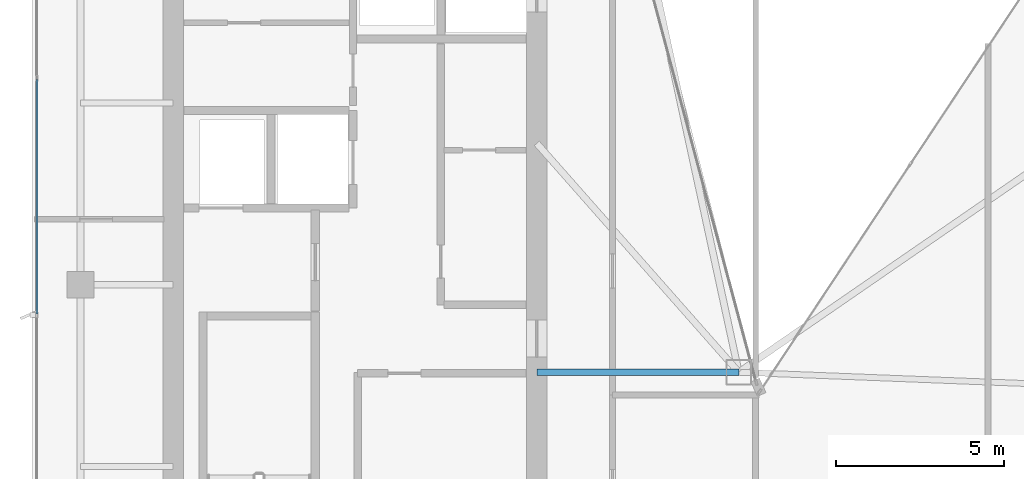
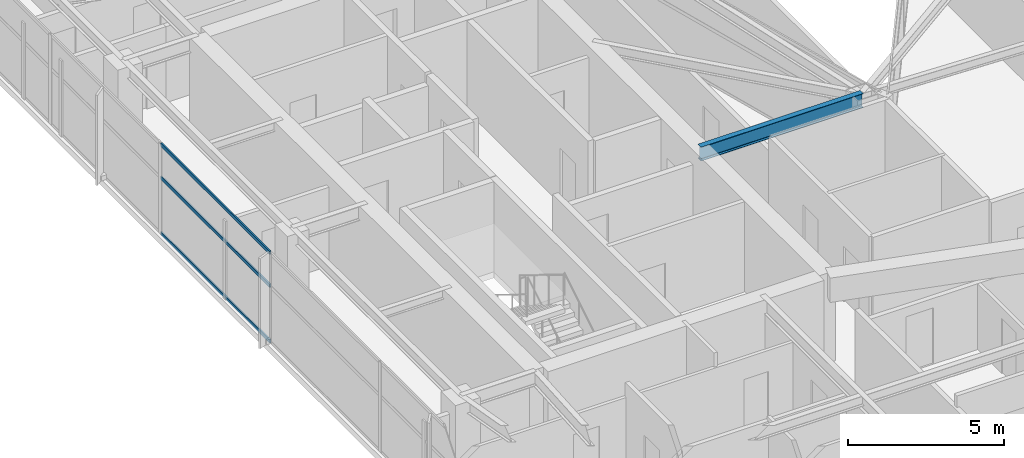
# One storey, part 9 of 27: 3 members, 1 beam, 1 element without a shape of its own.
"""IFC4 building model written with IfcOpenShell, lengths in metres."""

from ifc_helpers import new_model, si_unit, direction, frame, origin, origin_2d, place, context, subcontext, project, spatial, hollow_rectangle, i_section, extrude, material, layer, layer_set, material_profile, profile_set, type_object, element, aggregate, save


model = new_model("IFC4")

# Units and contexts
model_context = context("Model", 3, precision=1e-05, world=origin(), true_north=direction((0.0, 1.0)))
body_context = subcontext(model_context, "Body", "Model", "MODEL_VIEW")
ifc_project = project(units=[si_unit("LENGTHUNIT", "METRE"), si_unit("AREAUNIT", "SQUARE_METRE"), si_unit("VOLUMEUNIT", "CUBIC_METRE"), si_unit("PLANEANGLEUNIT", "RADIAN"), si_unit("MASSUNIT", "GRAM", prefix="KILO")], contexts=[model_context])

# Site, building, storey
site_placement = place(None, origin())
site = spatial("IfcSite", under=ifc_project, at=site_placement, CompositionType="ELEMENT")
building_placement = place(site_placement, origin())
building = spatial("IfcBuilding", under=site, at=building_placement, Name="Calvorn Quay Hotel", CompositionType="ELEMENT")
storey_placement = place(building_placement, frame((0.0, 0.0, 278.699951171875)))
storey = spatial("IfcBuildingStorey", under=building, at=storey_placement, Name="L69", CompositionType="ELEMENT", Elevation=278.699951171875)

# Beam
ifc_material_1 = material(Name="Steel Q355B", Category="steel")
ifc_material_profile_1 = material_profile(ifc_material_1, i_section(OverallWidth=0.199951171875, OverallDepth=0.550048828125, WebThickness=0.010009765625, FlangeThickness=0.01611328125, FilletRadius=0.01806640625, at=origin_2d()), Name="HN550x200x10x16")
ifc_profile_set_1 = profile_set([ifc_material_profile_1], Name="Steel Q355B")
beam_type = type_object("IfcBeamType", Name="BM-GIRD-UPP", PredefinedType="BEAM", material=ifc_profile_set_1)
beam_placement = place(storey_placement, frame((21.0, 25.0, 3.2451171875), z_axis=(-1.0, 0.0, 0.0), x_axis=(0.0, -1.0, 0.0)))
element("IfcBeam", 1, at=beam_placement, inside=storey, type_object=beam_type, Name="Beam BG-L69-W7", PredefinedType="BEAM", context=body_context, shape_type="SweptSolid", body=[
    extrude(i_section(OverallWidth=0.199951171875, OverallDepth=0.550048828125, WebThickness=0.010009765625, FlangeThickness=0.01611328125, FilletRadius=0.01806640625, at=origin_2d()), origin(), (0.0, 0.0, 1.0), 6.0),
])

# Curtain wall, members
ifc_material_2 = material(Name="Champagne Bronze Anodised Aluminium and Low-E Glass", Category="aluminium")
ifc_layer = layer(ifc_material_2, 0.219970703125)
ifc_layer_set = layer_set([ifc_layer], Name="CW-SYS-Z4")
curtain_wall_type = type_object("IfcCurtainWallType", Name="CW-SYS-Z4", PredefinedType="NOTDEFINED", material=ifc_layer_set)
curtain_wall_placement = place(storey_placement, origin())
curtain_wall = element("IfcCurtainWall", 2, at=curtain_wall_placement, inside=storey, type_object=curtain_wall_type, Name="Tower West Curtain Wall (L69)", PredefinedType="NOTDEFINED")
ifc_material_3 = material(Name="Champagne Bronze Anodised Aluminium 6063-T6", Category="aluminium")
ifc_material_profile_2 = material_profile(ifc_material_3, hollow_rectangle(XDim=0.054931640625, YDim=0.1298828125, WallThickness=0.003173828125, at=origin_2d()), Name="ALU-T130x55x3.2")
ifc_profile_set_2 = profile_set([ifc_material_profile_2], Name="Champagne Bronze Anodised Aluminium 6063-T6")
member_type = type_object("IfcMemberType", Name="CW-SYS-Z4-TRN", PredefinedType="USERDEFINED", material=ifc_profile_set_2)
member_1_placement = place(storey_placement, frame((0.14990234375, 26.72998046875, 0.030029296875), z_axis=(0.0, 1.0, 0.0), x_axis=(-1.0, 0.0, 0.0)))
member_1 = element("IfcMember", 3, at=member_1_placement, type_object=member_type, Name="CW-L69-W transom 4.1", ObjectType="TRANSOM", PredefinedType="USERDEFINED", context=body_context, shape_type="SweptSolid", body=[
    extrude(hollow_rectangle(XDim=0.054931640625, YDim=0.1298828125, WallThickness=0.003173828125, at=origin_2d()), origin(), (0.0, 0.0, 1.0), 6.973388671875),
])
member_2_placement = place(storey_placement, frame((0.14990234375, 26.72998046875, 2.199951171875), z_axis=(0.0, 1.0, 0.0), x_axis=(-1.0, 0.0, 0.0)))
member_2 = element("IfcMember", 4, at=member_2_placement, type_object=member_type, Name="CW-L69-W transom 4.2", ObjectType="TRANSOM", PredefinedType="USERDEFINED", context=body_context, shape_type="SweptSolid", body=[
    extrude(hollow_rectangle(XDim=0.054931640625, YDim=0.1298828125, WallThickness=0.003173828125, at=origin_2d()), origin(), (0.0, 0.0, 1.0), 6.973388671875),
])
member_3_placement = place(storey_placement, frame((0.14990234375, 26.72998046875, 3.489990234375), z_axis=(0.0, 1.0, 0.0), x_axis=(-1.0, 0.0, 0.0)))
member_3 = element("IfcMember", 5, at=member_3_placement, type_object=member_type, Name="CW-L69-W transom 4.3", ObjectType="TRANSOM", PredefinedType="USERDEFINED", context=body_context, shape_type="SweptSolid", body=[
    extrude(hollow_rectangle(XDim=0.054931640625, YDim=0.1298828125, WallThickness=0.003173828125, at=origin_2d()), origin(), (0.0, 0.0, 1.0), 6.973388671875),
])
aggregate(curtain_wall, [member_1, member_2, member_3])

save(model, "model.ifc")
